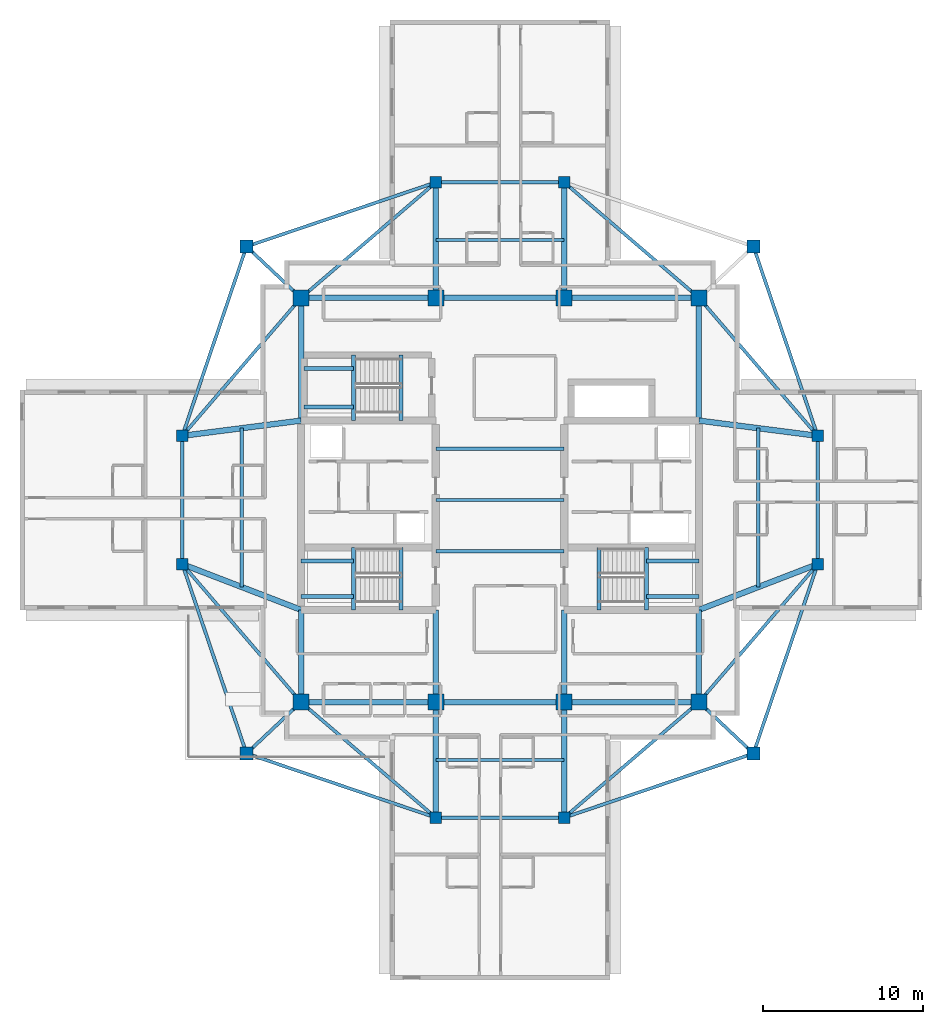
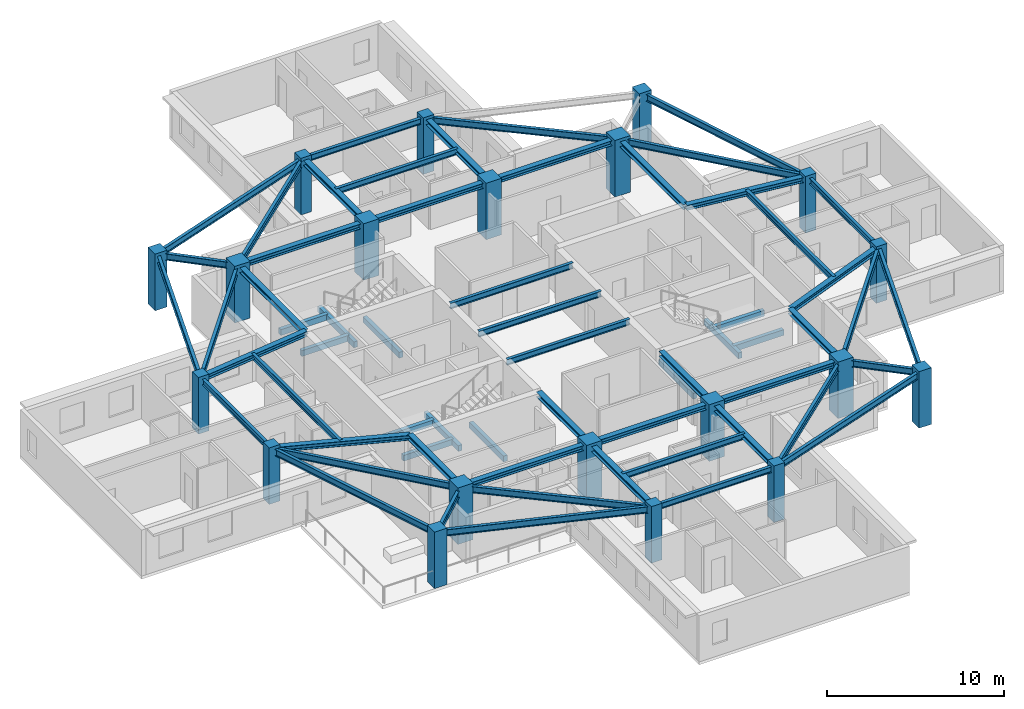
# One storey, part 1 of 12: 61 beams, 20 columns.
"""IFC4 building model written with IfcOpenShell, lengths in metres."""

from ifc_helpers import new_model, si_unit, direction, frame, origin, origin_2d, place, context, subcontext, project, spatial, rectangle, i_section, extrude, material, material_profile, profile_set, type_object, element, save


model = new_model("IFC4")

# Units and contexts
model_context = context("Model", 3, precision=1e-05, world=origin(), true_north=direction((0.0, 1.0)))
body_context = subcontext(model_context, "Body", "Model", "MODEL_VIEW")
ifc_project = project(units=[si_unit("LENGTHUNIT", "METRE"), si_unit("AREAUNIT", "SQUARE_METRE"), si_unit("VOLUMEUNIT", "CUBIC_METRE"), si_unit("PLANEANGLEUNIT", "RADIAN"), si_unit("MASSUNIT", "GRAM", prefix="KILO")], contexts=[model_context])

# Site, building, storey
site_placement = place(None, origin())
site = spatial("IfcSite", under=ifc_project, at=site_placement, CompositionType="ELEMENT")
building_placement = place(site_placement, origin())
building = spatial("IfcBuilding", under=site, at=building_placement, Name="Qingluan Cross Belvedere", CompositionType="ELEMENT")
storey_placement = place(building_placement, frame((0.0, 0.0, 265.5)))
storey = spatial("IfcBuildingStorey", under=building, at=storey_placement, Name="L66", CompositionType="ELEMENT", Elevation=265.5)

# Columns
ifc_material_1 = material(Name="Concrete C50", Category="concrete")
ifc_material_profile_1 = material_profile(ifc_material_1, rectangle(XDim=1.0, YDim=1.0, at=origin_2d()), Name="RC1000x1000")
ifc_profile_set_1 = profile_set([ifc_material_profile_1], Name="Concrete C50")
column_type_1 = type_object("IfcColumnType", Name="Column_RC1000x1000", PredefinedType="COLUMN", material=ifc_profile_set_1)
for number, where, z_axis, x_axis, name in (
    (1, (-12.39990234375, -12.60009765625, 0.0), (0.0, 0.0, 1.0), (1.0, 0.0, 0.0), "Hub column L66-HC1"),
    (2, (12.39990234375, -12.60009765625, 0.0), (0.0, 0.0, 1.0), (1.0, 0.0, 0.0), "Hub column L66-HC2"),
    (3, (12.39990234375, 12.60009765625, 0.0), (0.0, 0.0, 1.0), (1.0, 0.0, 0.0), "Hub column L66-HC3"),
    (4, (-12.39990234375, 12.60009765625, 0.0), (0.0, 0.0, 1.0), (1.0, 0.0, 0.0), "Hub column L66-HC4"),
    (5, (-4.0, -12.60009765625, 0.0), (0.0, 0.0, 1.0), (1.0, 0.0, 0.0), "Hub column L66-HC5"),
    (6, (4.0, -12.60009765625, 0.0), (0.0, 0.0, 1.0), (1.0, 0.0, 0.0), "Hub column L66-HC6"),
    (7, (4.0, 12.60009765625, 0.0), (0.0, 0.0, 1.0), (1.0, 0.0, 0.0), "Hub column L66-HC7"),
    (8, (-4.0, 12.60009765625, 0.0), (0.0, 0.0, 1.0), (1.0, 0.0, 0.0), "Hub column L66-HC8"),
):
    element("IfcColumn", number, at=place(storey_placement, frame(where, z_axis=z_axis, x_axis=x_axis)), inside=storey, type_object=column_type_1, Name=name, PredefinedType="COLUMN", context=body_context, shape_type="SweptSolid", body=[
        extrude(rectangle(XDim=1.0, YDim=1.0, at=origin_2d()), origin(), (0.0, 0.0, 1.0), 3.89990234375),
    ])
ifc_material_2 = material(Name="Concrete C50", Category="concrete")
ifc_material_profile_2 = material_profile(ifc_material_2, rectangle(XDim=0.699951171875, YDim=0.699951171875, at=origin_2d()), Name="RC700x700")
ifc_profile_set_2 = profile_set([ifc_material_profile_2], Name="Concrete C50")
column_type_2 = type_object("IfcColumnType", Name="Column_RC700x700", PredefinedType="COLUMN", material=ifc_profile_set_2)
for number, where, z_axis, x_axis, name in (
    (9, (19.800048828125, -4.0, 0.0), (0.0, 0.0, 1.0), (1.0, 0.0, 0.0), "Arm column L66-EIA"),
    (10, (19.800048828125, 4.0, 0.0), (0.0, 0.0, 1.0), (1.0, 0.0, 0.0), "Arm column L66-EIB"),
    (11, (-19.800048828125, -4.0, 0.0), (0.0, 0.0, 1.0), (1.0, 0.0, 0.0), "Arm column L66-WIA"),
    (12, (-19.800048828125, 4.0, 0.0), (0.0, 0.0, 1.0), (1.0, 0.0, 0.0), "Arm column L66-WIB"),
    (13, (-4.0, -19.800048828125, 0.0), (0.0, 0.0, 1.0), (1.0, 0.0, 0.0), "Arm column L66-SIA"),
    (14, (4.0, -19.800048828125, 0.0), (0.0, 0.0, 1.0), (1.0, 0.0, 0.0), "Arm column L66-SIB"),
    (15, (-4.0, 19.800048828125, 0.0), (0.0, 0.0, 1.0), (1.0, 0.0, 0.0), "Arm column L66-NIA"),
    (16, (4.0, 19.800048828125, 0.0), (0.0, 0.0, 1.0), (1.0, 0.0, 0.0), "Arm column L66-NIB"),
):
    element("IfcColumn", number, at=place(storey_placement, frame(where, z_axis=z_axis, x_axis=x_axis)), inside=storey, type_object=column_type_2, Name=name, PredefinedType="COLUMN", context=body_context, shape_type="SweptSolid", body=[
        extrude(rectangle(XDim=0.699951171875, YDim=0.699951171875, at=origin_2d()), origin(), (0.0, 0.0, 1.0), 3.89990234375),
    ])
ifc_material_3 = material(Name="Concrete C50", Category="concrete")
ifc_material_profile_3 = material_profile(ifc_material_3, rectangle(XDim=0.800048828125, YDim=0.800048828125, at=origin_2d()), Name="RC800x800")
ifc_profile_set_3 = profile_set([ifc_material_profile_3], Name="Concrete C50")
column_type_3 = type_object("IfcColumnType", Name="Column_RC800x800", PredefinedType="COLUMN", material=ifc_profile_set_3)
for number, where, z_axis, x_axis, name in (
    (17, (15.800048828125, 15.800048828125, 0.0), (0.0, 0.0, 1.0), (1.0, 0.0, 0.0), "Corner column L66-RNE"),
    (18, (-15.800048828125, 15.800048828125, 0.0), (0.0, 0.0, 1.0), (1.0, 0.0, 0.0), "Corner column L66-RNW"),
    (19, (-15.800048828125, -15.800048828125, 0.0), (0.0, 0.0, 1.0), (1.0, 0.0, 0.0), "Corner column L66-RSW"),
    (20, (15.800048828125, -15.800048828125, 0.0), (0.0, 0.0, 1.0), (1.0, 0.0, 0.0), "Corner column L66-RSE"),
):
    element("IfcColumn", number, at=place(storey_placement, frame(where, z_axis=z_axis, x_axis=x_axis)), inside=storey, type_object=column_type_3, Name=name, PredefinedType="COLUMN", context=body_context, shape_type="SweptSolid", body=[
        extrude(rectangle(XDim=0.800048828125, YDim=0.800048828125, at=origin_2d()), origin(), (0.0, 0.0, 1.0), 3.89990234375),
    ])

# Beams
ifc_material_4 = material(Name="Concrete C45", Category="concrete")
ifc_material_profile_4 = material_profile(ifc_material_4, rectangle(XDim=0.25, YDim=0.39990234375, at=origin_2d()), Name="RC250x400")
ifc_profile_set_4 = profile_set([ifc_material_profile_4], Name="Concrete C45")
beam_type_1 = type_object("IfcBeamType", Name="RC_Lintel_RC250x400", PredefinedType="LINTEL", material=ifc_profile_set_4)
for number, where, z_axis, x_axis, name in (
    (21, (-6.179931640625, -6.85009765625, -0.199951171875), (0.0, 1.0, 0.0), (-1.0, 0.0, 0.0), "Stair ST1 landing beam L66"),
    (22, (6.179931640625, -6.85009765625, -0.199951171875), (0.0, 1.0, 0.0), (-1.0, 0.0, 0.0), "Stair ST2 landing beam L66"),
):
    element("IfcBeam", number, at=place(storey_placement, frame(where, z_axis=z_axis, x_axis=x_axis)), inside=storey, type_object=beam_type_1, Name=name, PredefinedType="LINTEL", context=body_context, shape_type="SweptSolid", body=[
        extrude(rectangle(XDim=0.25, YDim=0.39990234375, at=origin_2d()), origin(), (0.0, 0.0, 1.0), 3.89013671875),
    ])
beam_1_placement = place(storey_placement, frame((-6.179931640625, 4.949951171875, -0.199951171875), z_axis=(0.0, 1.0, 0.0), x_axis=(-1.0, 0.0, 0.0)))
element("IfcBeam", 23, at=beam_1_placement, inside=storey, type_object=beam_type_1, Name="Stair ST3 landing beam L66", PredefinedType="LINTEL", context=body_context, shape_type="SweptSolid", body=[
    extrude(rectangle(XDim=0.25, YDim=0.39990234375, at=origin_2d()), origin(), (0.0, 0.0, 1.0), 4.090087890625),
])
beam_2_placement = place(storey_placement, frame((-9.1298828125, -6.85009765625, 1.550048828125), z_axis=(0.0, 1.0, 0.0), x_axis=(-1.0, 0.0, 0.0)))
element("IfcBeam", 24, at=beam_2_placement, inside=storey, type_object=beam_type_1, Name="Stair ST1 beam A L66", PredefinedType="LINTEL", context=body_context, shape_type="SweptSolid", body=[
    extrude(rectangle(XDim=0.25, YDim=0.39990234375, at=origin_2d()), origin(), (0.0, 0.0, 1.0), 3.89013671875),
])
for number, where, z_axis, x_axis, name in (
    (25, (-12.39990234375, -6.0, 1.550048828125), (1.0, 0.0, 0.0), (0.0, 1.0, 0.0), "Stair ST1 beam B L66"),
    (26, (-12.39990234375, -3.81005859375, 1.550048828125), (1.0, 0.0, 0.0), (0.0, 1.0, 0.0), "Stair ST1 beam C L66"),
):
    element("IfcBeam", number, at=place(storey_placement, frame(where, z_axis=z_axis, x_axis=x_axis)), inside=storey, type_object=beam_type_1, Name=name, PredefinedType="LINTEL", context=body_context, shape_type="SweptSolid", body=[
        extrude(rectangle(XDim=0.25, YDim=0.39990234375, at=origin_2d()), origin(), (0.0, 0.0, 1.0), 3.27001953125),
    ])
beam_3_placement = place(storey_placement, frame((9.1298828125, -6.85009765625, 1.550048828125), z_axis=(0.0, 1.0, 0.0), x_axis=(-1.0, 0.0, 0.0)))
element("IfcBeam", 27, at=beam_3_placement, inside=storey, type_object=beam_type_1, Name="Stair ST2 beam A L66", PredefinedType="LINTEL", context=body_context, shape_type="SweptSolid", body=[
    extrude(rectangle(XDim=0.25, YDim=0.39990234375, at=origin_2d()), origin(), (0.0, 0.0, 1.0), 3.89013671875),
])
for number, where, z_axis, x_axis, name in (
    (28, (12.39990234375, -6.0, 1.550048828125), (-1.0, 0.0, 0.0), (0.0, -1.0, 0.0), "Stair ST2 beam B L66"),
    (29, (12.39990234375, -3.81005859375, 1.550048828125), (-1.0, 0.0, 0.0), (0.0, -1.0, 0.0), "Stair ST2 beam C L66"),
):
    element("IfcBeam", number, at=place(storey_placement, frame(where, z_axis=z_axis, x_axis=x_axis)), inside=storey, type_object=beam_type_1, Name=name, PredefinedType="LINTEL", context=body_context, shape_type="SweptSolid", body=[
        extrude(rectangle(XDim=0.25, YDim=0.39990234375, at=origin_2d()), origin(), (0.0, 0.0, 1.0), 3.27001953125),
    ])
beam_4_placement = place(storey_placement, frame((-9.1298828125, 4.949951171875, 1.550048828125), z_axis=(0.0, 1.0, 0.0), x_axis=(-1.0, 0.0, 0.0)))
element("IfcBeam", 30, at=beam_4_placement, inside=storey, type_object=beam_type_1, Name="Stair ST3 beam A L66", PredefinedType="LINTEL", context=body_context, shape_type="SweptSolid", body=[
    extrude(rectangle(XDim=0.25, YDim=0.39990234375, at=origin_2d()), origin(), (0.0, 0.0, 1.0), 4.090087890625),
])
for number, where, z_axis, x_axis, name in (
    (31, (-12.219970703125, 5.800048828125, 1.550048828125), (1.0, 0.0, 0.0), (0.0, 1.0, 0.0), "Stair ST3 beam B L66"),
    (32, (-12.219970703125, 8.18994140625, 1.550048828125), (1.0, 0.0, 0.0), (0.0, 1.0, 0.0), "Stair ST3 beam C L66"),
):
    element("IfcBeam", number, at=place(storey_placement, frame(where, z_axis=z_axis, x_axis=x_axis)), inside=storey, type_object=beam_type_1, Name=name, PredefinedType="LINTEL", context=body_context, shape_type="SweptSolid", body=[
        extrude(rectangle(XDim=0.25, YDim=0.39990234375, at=origin_2d()), origin(), (0.0, 0.0, 1.0), 3.090087890625),
    ])
ifc_material_5 = material(Name="Steel Q420GJB", Category="steel")
ifc_material_profile_5 = material_profile(ifc_material_5, i_section(OverallWidth=0.199951171875, OverallDepth=0.39990234375, WebThickness=0.008056640625, FlangeThickness=0.012939453125, FilletRadius=0.012939453125, at=origin_2d()), Name="HN400x200x8x13")
ifc_profile_set_5 = profile_set([ifc_material_profile_5], Name="Steel Q420GJB")
beam_type_2 = type_object("IfcBeamType", Name="Steel_Beam_HN400x200x8x13", PredefinedType="JOIST", material=ifc_profile_set_5)
for number, where, z_axis, x_axis, name in (
    (33, (-4.0, -3.199951171875, 3.5), (1.0, 0.0, 0.0), (0.0, 1.0, 0.0), "Hall beam L66-CH1"),
    (34, (-4.0, 0.0, 3.5), (1.0, 0.0, 0.0), (0.0, 1.0, 0.0), "Hall beam L66-CH2"),
    (35, (-4.0, 3.199951171875, 3.5), (1.0, 0.0, 0.0), (0.0, 1.0, 0.0), "Hall beam L66-CH3"),
    (36, (19.800048828125, -4.0, 3.5), (0.0, 1.0, 0.0), (-1.0, 0.0, 0.0), "Arm E tie L66"),
):
    element("IfcBeam", number, at=place(storey_placement, frame(where, z_axis=z_axis, x_axis=x_axis)), inside=storey, type_object=beam_type_2, Name=name, PredefinedType="JOIST", context=body_context, shape_type="SweptSolid", body=[
        extrude(i_section(OverallWidth=0.199951171875, OverallDepth=0.39990234375, WebThickness=0.008056640625, FlangeThickness=0.012939453125, FilletRadius=0.012939453125, at=origin_2d()), origin(), (0.0, 0.0, 1.0), 8.0),
    ])
beam_5_placement = place(storey_placement, frame((16.10009765625, -5.425048828125, 3.5), z_axis=(0.0, 1.0, 0.0), x_axis=(-1.0, 0.0, 0.0)))
element("IfcBeam", 37, at=beam_5_placement, inside=storey, type_object=beam_type_2, Name="Arm E beam L66", PredefinedType="JOIST", context=body_context, shape_type="SweptSolid", body=[
    extrude(i_section(OverallWidth=0.199951171875, OverallDepth=0.39990234375, WebThickness=0.008056640625, FlangeThickness=0.012939453125, FilletRadius=0.012939453125, at=origin_2d()), origin(), (0.0, 0.0, 1.0), 9.900146484375),
])
beam_6_placement = place(storey_placement, frame((-19.800048828125, -4.0, 3.5), z_axis=(0.0, 1.0, 0.0), x_axis=(-1.0, 0.0, 0.0)))
element("IfcBeam", 38, at=beam_6_placement, inside=storey, type_object=beam_type_2, Name="Arm W tie L66", PredefinedType="JOIST", context=body_context, shape_type="SweptSolid", body=[
    extrude(i_section(OverallWidth=0.199951171875, OverallDepth=0.39990234375, WebThickness=0.008056640625, FlangeThickness=0.012939453125, FilletRadius=0.012939453125, at=origin_2d()), origin(), (0.0, 0.0, 1.0), 8.0),
])
beam_7_placement = place(storey_placement, frame((-16.10009765625, -5.425048828125, 3.5), z_axis=(0.0, 1.0, 0.0), x_axis=(-1.0, 0.0, 0.0)))
element("IfcBeam", 39, at=beam_7_placement, inside=storey, type_object=beam_type_2, Name="Arm W beam L66", PredefinedType="JOIST", context=body_context, shape_type="SweptSolid", body=[
    extrude(i_section(OverallWidth=0.199951171875, OverallDepth=0.39990234375, WebThickness=0.008056640625, FlangeThickness=0.012939453125, FilletRadius=0.012939453125, at=origin_2d()), origin(), (0.0, 0.0, 1.0), 9.900146484375),
])
for number, where, z_axis, x_axis, name in (
    (40, (-4.0, 19.800048828125, 3.5), (1.0, 0.0, 0.0), (0.0, 1.0, 0.0), "Arm N tie L66"),
    (41, (-4.0, 16.199951171875, 3.5), (1.0, 0.0, 0.0), (0.0, 1.0, 0.0), "Arm N beam L66"),
    (42, (-4.0, -19.800048828125, 3.5), (1.0, 0.0, 0.0), (0.0, 1.0, 0.0), "Arm S tie L66"),
    (43, (-4.0, -16.199951171875, 3.5), (1.0, 0.0, 0.0), (0.0, 1.0, 0.0), "Arm S beam L66"),
):
    element("IfcBeam", number, at=place(storey_placement, frame(where, z_axis=z_axis, x_axis=x_axis)), inside=storey, type_object=beam_type_2, Name=name, PredefinedType="JOIST", context=body_context, shape_type="SweptSolid", body=[
        extrude(i_section(OverallWidth=0.199951171875, OverallDepth=0.39990234375, WebThickness=0.008056640625, FlangeThickness=0.012939453125, FilletRadius=0.012939453125, at=origin_2d()), origin(), (0.0, 0.0, 1.0), 8.0),
    ])
ifc_material_6 = material(Name="Steel Q420GJB", Category="steel")
ifc_material_profile_6 = material_profile(ifc_material_6, i_section(OverallWidth=0.199951171875, OverallDepth=0.449951171875, WebThickness=0.009033203125, FlangeThickness=0.013916015625, FilletRadius=0.01611328125, at=origin_2d()), Name="HN450x200x9x14")
ifc_profile_set_6 = profile_set([ifc_material_profile_6], Name="Steel Q420GJB")
beam_type_3 = type_object("IfcBeamType", Name="Steel_Beam_HN450x200x9x14", PredefinedType="JOIST", material=ifc_profile_set_6)
beam_8_placement = place(storey_placement, frame((15.800048828125, 15.800048828125, 3.47509765625), z_axis=(0.321038089628, -0.947066283324, 0.0), x_axis=(0.947066283324, 0.321038089628, 0.0)))
element("IfcBeam", 44, at=beam_8_placement, inside=storey, type_object=beam_type_3, Name="Corner beam 3 L66-RNE", PredefinedType="JOIST", context=body_context, shape_type="SweptSolid", body=[
    extrude(i_section(OverallWidth=0.199951171875, OverallDepth=0.449951171875, WebThickness=0.009033203125, FlangeThickness=0.013916015625, FilletRadius=0.01611328125, at=origin_2d()), origin(), (0.0, 0.0, 1.0), 12.45947265625),
])
beam_9_placement = place(storey_placement, frame((12.39990234375, 12.60009765625, 3.47509765625), z_axis=(0.652245077546, -0.75800815221, 0.0), x_axis=(0.75800815221, 0.652245077546, 0.0)))
element("IfcBeam", 45, at=beam_9_placement, inside=storey, type_object=beam_type_3, Name="Corner beam 4 L66-RNE", PredefinedType="JOIST", context=body_context, shape_type="SweptSolid", body=[
    extrude(i_section(OverallWidth=0.199951171875, OverallDepth=0.449951171875, WebThickness=0.009033203125, FlangeThickness=0.013916015625, FilletRadius=0.01611328125, at=origin_2d()), origin(), (0.0, 0.0, 1.0), 11.345703125),
])
beam_10_placement = place(storey_placement, frame((12.39990234375, 12.60009765625, 3.47509765625), z_axis=(-0.759255044656, 0.650793190779, 0.0), x_axis=(-0.650793190779, -0.759255044656, 0.0)))
element("IfcBeam", 46, at=beam_10_placement, inside=storey, type_object=beam_type_3, Name="Corner beam 5 L66-RNE", PredefinedType="JOIST", context=body_context, shape_type="SweptSolid", body=[
    extrude(i_section(OverallWidth=0.199951171875, OverallDepth=0.449951171875, WebThickness=0.009033203125, FlangeThickness=0.013916015625, FilletRadius=0.01611328125, at=origin_2d()), origin(), (0.0, 0.0, 1.0), 11.063232421875),
])
beam_11_placement = place(storey_placement, frame((-12.39990234375, 12.60009765625, 3.47509765625), z_axis=(-0.728219948308, 0.685343495546, 0.0), x_axis=(-0.685343495546, -0.728219948308, 0.0)))
element("IfcBeam", 47, at=beam_11_placement, inside=storey, type_object=beam_type_3, Name="Corner beam 1 L66-RNW", PredefinedType="JOIST", context=body_context, shape_type="SweptSolid", body=[
    extrude(i_section(OverallWidth=0.199951171875, OverallDepth=0.449951171875, WebThickness=0.009033203125, FlangeThickness=0.013916015625, FilletRadius=0.01611328125, at=origin_2d()), origin(), (0.0, 0.0, 1.0), 4.669189453125),
])
for number, where, z_axis, x_axis, name in (
    (48, (-15.800048828125, 15.800048828125, 3.47509765625), (0.947066283324, 0.321038089628, 0.0), (-0.321038089628, 0.947066283324, 0.0), "Corner beam 2 L66-RNW"),
    (49, (-15.800048828125, 15.800048828125, 3.47509765625), (-0.321038089628, -0.947066283324, 0.0), (0.947066283324, -0.321038089628, 0.0), "Corner beam 3 L66-RNW"),
):
    element("IfcBeam", number, at=place(storey_placement, frame(where, z_axis=z_axis, x_axis=x_axis)), inside=storey, type_object=beam_type_3, Name=name, PredefinedType="JOIST", context=body_context, shape_type="SweptSolid", body=[
        extrude(i_section(OverallWidth=0.199951171875, OverallDepth=0.449951171875, WebThickness=0.009033203125, FlangeThickness=0.013916015625, FilletRadius=0.01611328125, at=origin_2d()), origin(), (0.0, 0.0, 1.0), 12.45947265625),
    ])
beam_12_placement = place(storey_placement, frame((-12.39990234375, 12.60009765625, 3.47509765625), z_axis=(-0.652245077546, -0.75800815221, 0.0), x_axis=(0.75800815221, -0.652245077546, 0.0)))
element("IfcBeam", 50, at=beam_12_placement, inside=storey, type_object=beam_type_3, Name="Corner beam 4 L66-RNW", PredefinedType="JOIST", context=body_context, shape_type="SweptSolid", body=[
    extrude(i_section(OverallWidth=0.199951171875, OverallDepth=0.449951171875, WebThickness=0.009033203125, FlangeThickness=0.013916015625, FilletRadius=0.01611328125, at=origin_2d()), origin(), (0.0, 0.0, 1.0), 11.345703125),
])
beam_13_placement = place(storey_placement, frame((-12.39990234375, 12.60009765625, 3.47509765625), z_axis=(0.759255044656, 0.650793190779, 0.0), x_axis=(-0.650793190779, 0.759255044656, 0.0)))
element("IfcBeam", 51, at=beam_13_placement, inside=storey, type_object=beam_type_3, Name="Corner beam 5 L66-RNW", PredefinedType="JOIST", context=body_context, shape_type="SweptSolid", body=[
    extrude(i_section(OverallWidth=0.199951171875, OverallDepth=0.449951171875, WebThickness=0.009033203125, FlangeThickness=0.013916015625, FilletRadius=0.01611328125, at=origin_2d()), origin(), (0.0, 0.0, 1.0), 11.063232421875),
])
beam_14_placement = place(storey_placement, frame((-12.39990234375, -12.60009765625, 3.455078125), z_axis=(-0.728219948308, -0.685343495546, 0.0), x_axis=(0.685343495546, -0.728219948308, 0.0)))
element("IfcBeam", 52, at=beam_14_placement, inside=storey, type_object=beam_type_3, Name="Corner beam 1 L66-RSW", PredefinedType="JOIST", context=body_context, shape_type="SweptSolid", body=[
    extrude(i_section(OverallWidth=0.199951171875, OverallDepth=0.449951171875, WebThickness=0.009033203125, FlangeThickness=0.013916015625, FilletRadius=0.01611328125, at=origin_2d()), origin(), (0.0, 0.0, 1.0), 4.669189453125),
])
for number, where, z_axis, x_axis, name in (
    (53, (-15.800048828125, -15.800048828125, 3.455078125), (0.947066283324, -0.321038089628, 0.0), (0.321038089628, 0.947066283324, 0.0), "Corner beam 2 L66-RSW"),
    (54, (-15.800048828125, -15.800048828125, 3.455078125), (-0.321038089628, 0.947066283324, 0.0), (-0.947066283324, -0.321038089628, 0.0), "Corner beam 3 L66-RSW"),
):
    element("IfcBeam", number, at=place(storey_placement, frame(where, z_axis=z_axis, x_axis=x_axis)), inside=storey, type_object=beam_type_3, Name=name, PredefinedType="JOIST", context=body_context, shape_type="SweptSolid", body=[
        extrude(i_section(OverallWidth=0.199951171875, OverallDepth=0.449951171875, WebThickness=0.009033203125, FlangeThickness=0.013916015625, FilletRadius=0.01611328125, at=origin_2d()), origin(), (0.0, 0.0, 1.0), 12.45947265625),
    ])
beam_15_placement = place(storey_placement, frame((-12.39990234375, -12.60009765625, 3.455078125), z_axis=(-0.652245077546, 0.75800815221, 0.0), x_axis=(-0.75800815221, -0.652245077546, 0.0)))
element("IfcBeam", 55, at=beam_15_placement, inside=storey, type_object=beam_type_3, Name="Corner beam 4 L66-RSW", PredefinedType="JOIST", context=body_context, shape_type="SweptSolid", body=[
    extrude(i_section(OverallWidth=0.199951171875, OverallDepth=0.449951171875, WebThickness=0.009033203125, FlangeThickness=0.013916015625, FilletRadius=0.01611328125, at=origin_2d()), origin(), (0.0, 0.0, 1.0), 11.345703125),
])
beam_16_placement = place(storey_placement, frame((-12.39990234375, -12.60009765625, 3.455078125), z_axis=(0.759255044656, -0.650793190779, 0.0), x_axis=(0.650793190779, 0.759255044656, 0.0)))
element("IfcBeam", 56, at=beam_16_placement, inside=storey, type_object=beam_type_3, Name="Corner beam 5 L66-RSW", PredefinedType="JOIST", context=body_context, shape_type="SweptSolid", body=[
    extrude(i_section(OverallWidth=0.199951171875, OverallDepth=0.449951171875, WebThickness=0.009033203125, FlangeThickness=0.013916015625, FilletRadius=0.01611328125, at=origin_2d()), origin(), (0.0, 0.0, 1.0), 11.063232421875),
])
beam_17_placement = place(storey_placement, frame((12.39990234375, -12.60009765625, 3.47509765625), z_axis=(0.728219948308, -0.685343495546, 0.0), x_axis=(0.685343495546, 0.728219948308, 0.0)))
element("IfcBeam", 57, at=beam_17_placement, inside=storey, type_object=beam_type_3, Name="Corner beam 1 L66-RSE", PredefinedType="JOIST", context=body_context, shape_type="SweptSolid", body=[
    extrude(i_section(OverallWidth=0.199951171875, OverallDepth=0.449951171875, WebThickness=0.009033203125, FlangeThickness=0.013916015625, FilletRadius=0.01611328125, at=origin_2d()), origin(), (0.0, 0.0, 1.0), 4.669189453125),
])
for number, where, z_axis, x_axis, name in (
    (58, (15.800048828125, -15.800048828125, 3.47509765625), (-0.947066283324, -0.321038089628, 0.0), (0.321038089628, -0.947066283324, 0.0), "Corner beam 2 L66-RSE"),
    (59, (15.800048828125, -15.800048828125, 3.47509765625), (0.321038089628, 0.947066283324, 0.0), (-0.947066283324, 0.321038089628, 0.0), "Corner beam 3 L66-RSE"),
):
    element("IfcBeam", number, at=place(storey_placement, frame(where, z_axis=z_axis, x_axis=x_axis)), inside=storey, type_object=beam_type_3, Name=name, PredefinedType="JOIST", context=body_context, shape_type="SweptSolid", body=[
        extrude(i_section(OverallWidth=0.199951171875, OverallDepth=0.449951171875, WebThickness=0.009033203125, FlangeThickness=0.013916015625, FilletRadius=0.01611328125, at=origin_2d()), origin(), (0.0, 0.0, 1.0), 12.45947265625),
    ])
beam_18_placement = place(storey_placement, frame((12.39990234375, -12.60009765625, 3.47509765625), z_axis=(0.652245077546, 0.75800815221, 0.0), x_axis=(-0.75800815221, 0.652245077546, 0.0)))
element("IfcBeam", 60, at=beam_18_placement, inside=storey, type_object=beam_type_3, Name="Corner beam 4 L66-RSE", PredefinedType="JOIST", context=body_context, shape_type="SweptSolid", body=[
    extrude(i_section(OverallWidth=0.199951171875, OverallDepth=0.449951171875, WebThickness=0.009033203125, FlangeThickness=0.013916015625, FilletRadius=0.01611328125, at=origin_2d()), origin(), (0.0, 0.0, 1.0), 11.345703125),
])
beam_19_placement = place(storey_placement, frame((12.39990234375, -12.60009765625, 3.47509765625), z_axis=(-0.759255044656, -0.650793190779, 0.0), x_axis=(0.650793190779, -0.759255044656, 0.0)))
element("IfcBeam", 61, at=beam_19_placement, inside=storey, type_object=beam_type_3, Name="Corner beam 5 L66-RSE", PredefinedType="JOIST", context=body_context, shape_type="SweptSolid", body=[
    extrude(i_section(OverallWidth=0.199951171875, OverallDepth=0.449951171875, WebThickness=0.009033203125, FlangeThickness=0.013916015625, FilletRadius=0.01611328125, at=origin_2d()), origin(), (0.0, 0.0, 1.0), 11.063232421875),
])
ifc_material_7 = material(Name="Steel Q420GJB", Category="steel")
ifc_material_profile_7 = material_profile(ifc_material_7, i_section(OverallWidth=0.35009765625, OverallDepth=0.35009765625, WebThickness=0.011962890625, FlangeThickness=0.01904296875, FilletRadius=0.02001953125, at=origin_2d()), Name="HW350x350x12x19")
ifc_profile_set_7 = profile_set([ifc_material_profile_7], Name="Steel Q420GJB")
beam_type_4 = type_object("IfcBeamType", Name="Steel_Girder_HW350x350x12x19", PredefinedType="USERDEFINED", material=ifc_profile_set_7)
beam_20_placement = place(storey_placement, frame((-12.39990234375, -12.60009765625, 3.52490234375), z_axis=(1.0, 0.0, 0.0), x_axis=(0.0, 1.0, 0.0)))
element("IfcBeam", 62, at=beam_20_placement, inside=storey, type_object=beam_type_4, Name="Hub girder L66-HG-S1", ObjectType="GIRDER", PredefinedType="USERDEFINED", context=body_context, shape_type="SweptSolid", body=[
    extrude(i_section(OverallWidth=0.35009765625, OverallDepth=0.35009765625, WebThickness=0.011962890625, FlangeThickness=0.01904296875, FilletRadius=0.02001953125, at=origin_2d()), origin(), (0.0, 0.0, 1.0), 8.39990234375),
])
beam_21_placement = place(storey_placement, frame((-4.0, -12.60009765625, 3.52490234375), z_axis=(1.0, 0.0, 0.0), x_axis=(0.0, 1.0, 0.0)))
element("IfcBeam", 63, at=beam_21_placement, inside=storey, type_object=beam_type_4, Name="Hub girder L66-HG-S2", ObjectType="GIRDER", PredefinedType="USERDEFINED", context=body_context, shape_type="SweptSolid", body=[
    extrude(i_section(OverallWidth=0.35009765625, OverallDepth=0.35009765625, WebThickness=0.011962890625, FlangeThickness=0.01904296875, FilletRadius=0.02001953125, at=origin_2d()), origin(), (0.0, 0.0, 1.0), 8.0),
])
for number, where, z_axis, x_axis, name in (
    (64, (4.0, -12.60009765625, 3.52490234375), (1.0, 0.0, 0.0), (0.0, 1.0, 0.0), "Hub girder L66-HG-S3"),
    (65, (-12.39990234375, 12.60009765625, 3.52490234375), (1.0, 0.0, 0.0), (0.0, 1.0, 0.0), "Hub girder L66-HG-N1"),
):
    element("IfcBeam", number, at=place(storey_placement, frame(where, z_axis=z_axis, x_axis=x_axis)), inside=storey, type_object=beam_type_4, Name=name, ObjectType="GIRDER", PredefinedType="USERDEFINED", context=body_context, shape_type="SweptSolid", body=[
        extrude(i_section(OverallWidth=0.35009765625, OverallDepth=0.35009765625, WebThickness=0.011962890625, FlangeThickness=0.01904296875, FilletRadius=0.02001953125, at=origin_2d()), origin(), (0.0, 0.0, 1.0), 8.39990234375),
    ])
beam_22_placement = place(storey_placement, frame((-4.0, 12.60009765625, 3.52490234375), z_axis=(1.0, 0.0, 0.0), x_axis=(0.0, 1.0, 0.0)))
element("IfcBeam", 66, at=beam_22_placement, inside=storey, type_object=beam_type_4, Name="Hub girder L66-HG-N2", ObjectType="GIRDER", PredefinedType="USERDEFINED", context=body_context, shape_type="SweptSolid", body=[
    extrude(i_section(OverallWidth=0.35009765625, OverallDepth=0.35009765625, WebThickness=0.011962890625, FlangeThickness=0.01904296875, FilletRadius=0.02001953125, at=origin_2d()), origin(), (0.0, 0.0, 1.0), 8.0),
])
beam_23_placement = place(storey_placement, frame((4.0, 12.60009765625, 3.52490234375), z_axis=(1.0, 0.0, 0.0), x_axis=(0.0, 1.0, 0.0)))
element("IfcBeam", 67, at=beam_23_placement, inside=storey, type_object=beam_type_4, Name="Hub girder L66-HG-N3", ObjectType="GIRDER", PredefinedType="USERDEFINED", context=body_context, shape_type="SweptSolid", body=[
    extrude(i_section(OverallWidth=0.35009765625, OverallDepth=0.35009765625, WebThickness=0.011962890625, FlangeThickness=0.01904296875, FilletRadius=0.02001953125, at=origin_2d()), origin(), (0.0, 0.0, 1.0), 8.39990234375),
])
beam_24_placement = place(storey_placement, frame((-12.39990234375, -12.60009765625, 3.52490234375), z_axis=(0.0, 1.0, 0.0), x_axis=(-1.0, 0.0, 0.0)))
element("IfcBeam", 68, at=beam_24_placement, inside=storey, type_object=beam_type_4, Name="Hub girder L66-HG-W1", ObjectType="GIRDER", PredefinedType="USERDEFINED", context=body_context, shape_type="SweptSolid", body=[
    extrude(i_section(OverallWidth=0.35009765625, OverallDepth=0.35009765625, WebThickness=0.011962890625, FlangeThickness=0.01904296875, FilletRadius=0.02001953125, at=origin_2d()), origin(), (0.0, 0.0, 1.0), 5.75),
])
beam_25_placement = place(storey_placement, frame((-12.39990234375, 4.949951171875, 3.52490234375), z_axis=(0.0, 1.0, 0.0), x_axis=(-1.0, 0.0, 0.0)))
element("IfcBeam", 69, at=beam_25_placement, inside=storey, type_object=beam_type_4, Name="Hub girder L66-HG-W2", ObjectType="GIRDER", PredefinedType="USERDEFINED", context=body_context, shape_type="SweptSolid", body=[
    extrude(i_section(OverallWidth=0.35009765625, OverallDepth=0.35009765625, WebThickness=0.011962890625, FlangeThickness=0.01904296875, FilletRadius=0.02001953125, at=origin_2d()), origin(), (0.0, 0.0, 1.0), 7.650146484375),
])
beam_26_placement = place(storey_placement, frame((12.39990234375, -12.60009765625, 3.52490234375), z_axis=(0.0, 1.0, 0.0), x_axis=(-1.0, 0.0, 0.0)))
element("IfcBeam", 70, at=beam_26_placement, inside=storey, type_object=beam_type_4, Name="Hub girder L66-HG-E1", ObjectType="GIRDER", PredefinedType="USERDEFINED", context=body_context, shape_type="SweptSolid", body=[
    extrude(i_section(OverallWidth=0.35009765625, OverallDepth=0.35009765625, WebThickness=0.011962890625, FlangeThickness=0.01904296875, FilletRadius=0.02001953125, at=origin_2d()), origin(), (0.0, 0.0, 1.0), 5.75),
])
beam_27_placement = place(storey_placement, frame((12.39990234375, 4.949951171875, 3.52490234375), z_axis=(0.0, 1.0, 0.0), x_axis=(-1.0, 0.0, 0.0)))
element("IfcBeam", 71, at=beam_27_placement, inside=storey, type_object=beam_type_4, Name="Hub girder L66-HG-E2", ObjectType="GIRDER", PredefinedType="USERDEFINED", context=body_context, shape_type="SweptSolid", body=[
    extrude(i_section(OverallWidth=0.35009765625, OverallDepth=0.35009765625, WebThickness=0.011962890625, FlangeThickness=0.01904296875, FilletRadius=0.02001953125, at=origin_2d()), origin(), (0.0, 0.0, 1.0), 7.650146484375),
])
for number, where, z_axis, x_axis, name in (
    (72, (-4.0, -12.60009765625, 3.52490234375), (0.0, 1.0, 0.0), (-1.0, 0.0, 0.0), "Hub girder L66-HG-CW"),
    (73, (4.0, -12.60009765625, 3.52490234375), (0.0, 1.0, 0.0), (-1.0, 0.0, 0.0), "Hub girder L66-HG-CE"),
):
    element("IfcBeam", number, at=place(storey_placement, frame(where, z_axis=z_axis, x_axis=x_axis)), inside=storey, type_object=beam_type_4, Name=name, ObjectType="GIRDER", PredefinedType="USERDEFINED", context=body_context, shape_type="SweptSolid", body=[
        extrude(i_section(OverallWidth=0.35009765625, OverallDepth=0.35009765625, WebThickness=0.011962890625, FlangeThickness=0.01904296875, FilletRadius=0.02001953125, at=origin_2d()), origin(), (0.0, 0.0, 1.0), 5.75),
    ])
beam_28_placement = place(storey_placement, frame((12.39990234375, -6.85009765625, 3.52490234375), z_axis=(0.933181258889, 0.359406090735, 0.0), x_axis=(-0.359406090735, 0.933181258889, 0.0)))
element("IfcBeam", 74, at=beam_28_placement, inside=storey, type_object=beam_type_4, Name="Arm E radial girder A L66", ObjectType="GIRDER", PredefinedType="USERDEFINED", context=body_context, shape_type="SweptSolid", body=[
    extrude(i_section(OverallWidth=0.35009765625, OverallDepth=0.35009765625, WebThickness=0.011962890625, FlangeThickness=0.01904296875, FilletRadius=0.02001953125, at=origin_2d()), origin(), (0.0, 0.0, 1.0), 7.929931640625),
])
beam_29_placement = place(storey_placement, frame((12.39990234375, 4.949951171875, 3.52490234375), z_axis=(0.991861120628, -0.12732445714, 0.0), x_axis=(0.12732445714, 0.991861120628, 0.0)))
element("IfcBeam", 75, at=beam_29_placement, inside=storey, type_object=beam_type_4, Name="Arm E radial girder B L66", ObjectType="GIRDER", PredefinedType="USERDEFINED", context=body_context, shape_type="SweptSolid", body=[
    extrude(i_section(OverallWidth=0.35009765625, OverallDepth=0.35009765625, WebThickness=0.011962890625, FlangeThickness=0.01904296875, FilletRadius=0.02001953125, at=origin_2d()), origin(), (0.0, 0.0, 1.0), 7.4609375),
])
beam_30_placement = place(storey_placement, frame((-12.39990234375, -6.85009765625, 3.52490234375), z_axis=(-0.933181258889, 0.359406090735, 0.0), x_axis=(-0.359406090735, -0.933181258889, 0.0)))
element("IfcBeam", 76, at=beam_30_placement, inside=storey, type_object=beam_type_4, Name="Arm W radial girder A L66", ObjectType="GIRDER", PredefinedType="USERDEFINED", context=body_context, shape_type="SweptSolid", body=[
    extrude(i_section(OverallWidth=0.35009765625, OverallDepth=0.35009765625, WebThickness=0.011962890625, FlangeThickness=0.01904296875, FilletRadius=0.02001953125, at=origin_2d()), origin(), (0.0, 0.0, 1.0), 7.929931640625),
])
beam_31_placement = place(storey_placement, frame((-12.39990234375, 4.949951171875, 3.52490234375), z_axis=(-0.991861120628, -0.12732445714, 0.0), x_axis=(0.12732445714, -0.991861120628, 0.0)))
element("IfcBeam", 77, at=beam_31_placement, inside=storey, type_object=beam_type_4, Name="Arm W radial girder B L66", ObjectType="GIRDER", PredefinedType="USERDEFINED", context=body_context, shape_type="SweptSolid", body=[
    extrude(i_section(OverallWidth=0.35009765625, OverallDepth=0.35009765625, WebThickness=0.011962890625, FlangeThickness=0.01904296875, FilletRadius=0.02001953125, at=origin_2d()), origin(), (0.0, 0.0, 1.0), 7.4609375),
])
for number, where, z_axis, x_axis, name in (
    (78, (-4.0, 12.60009765625, 3.52490234375), (0.0, 1.0, 0.0), (-1.0, 0.0, 0.0), "Arm N radial girder A L66"),
    (79, (4.0, 12.60009765625, 3.52490234375), (0.0, 1.0, 0.0), (-1.0, 0.0, 0.0), "Arm N radial girder B L66"),
    (80, (-4.0, -12.60009765625, 3.52490234375), (0.0, -1.0, 0.0), (1.0, 0.0, 0.0), "Arm S radial girder A L66"),
    (81, (4.0, -12.60009765625, 3.52490234375), (0.0, -1.0, 0.0), (1.0, 0.0, 0.0), "Arm S radial girder B L66"),
):
    element("IfcBeam", number, at=place(storey_placement, frame(where, z_axis=z_axis, x_axis=x_axis)), inside=storey, type_object=beam_type_4, Name=name, ObjectType="GIRDER", PredefinedType="USERDEFINED", context=body_context, shape_type="SweptSolid", body=[
        extrude(i_section(OverallWidth=0.35009765625, OverallDepth=0.35009765625, WebThickness=0.011962890625, FlangeThickness=0.01904296875, FilletRadius=0.02001953125, at=origin_2d()), origin(), (0.0, 0.0, 1.0), 7.199951171875),
    ])

save(model, "model.ifc")
